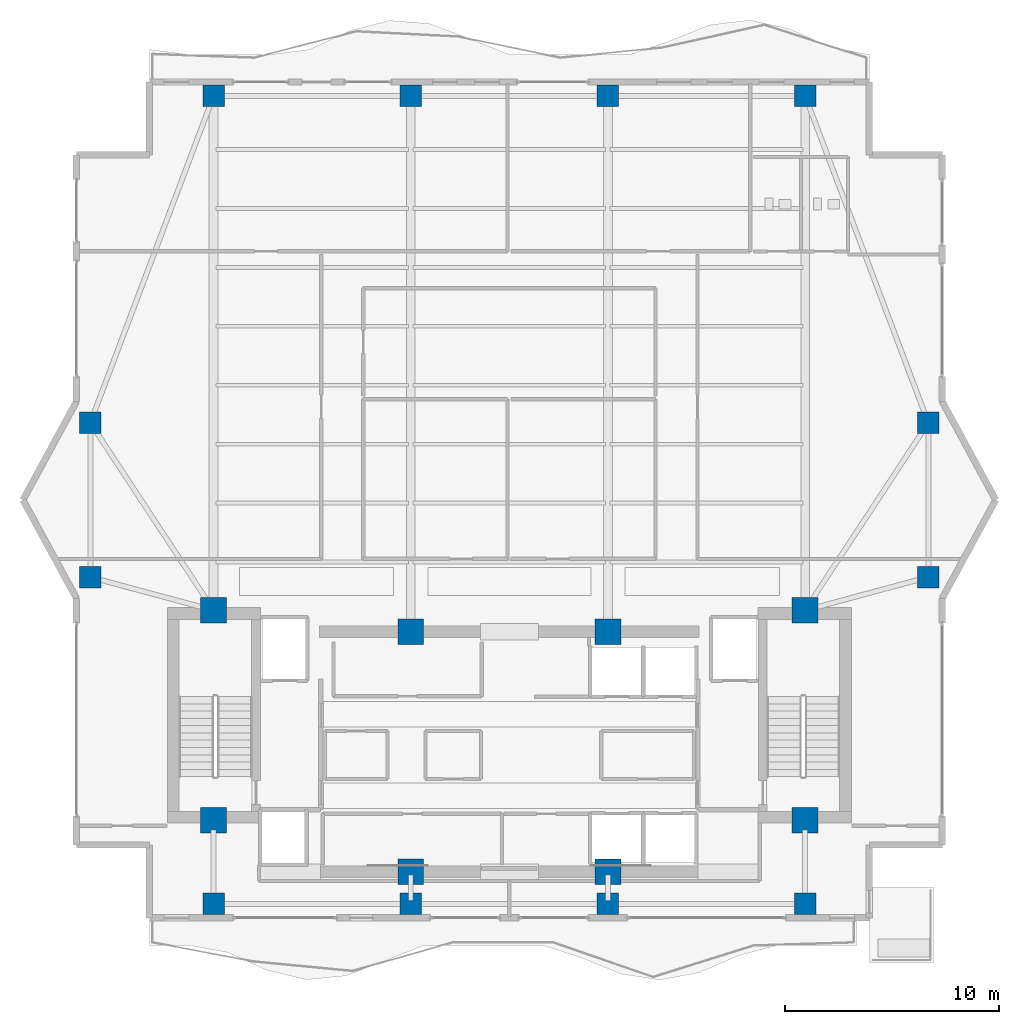
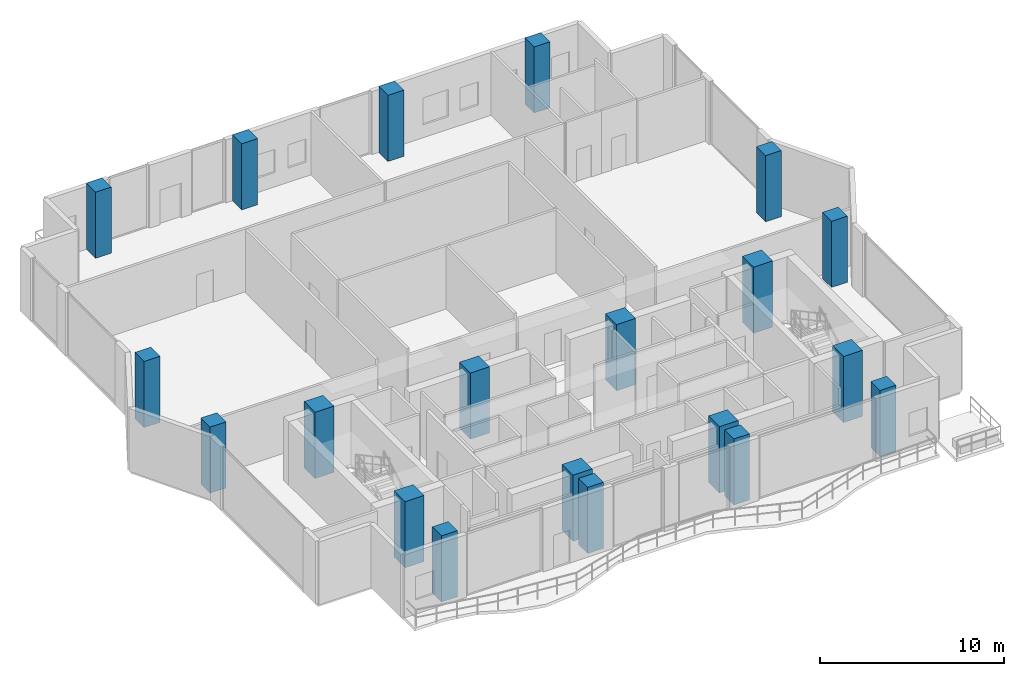
# One storey, part 1 of 23: 20 columns.
"""IFC4 building model written with IfcOpenShell, lengths in metres."""

from ifc_helpers import new_model, si_unit, direction, frame, origin, origin_2d, place, context, subcontext, project, spatial, rectangle, extrude, material, material_profile, profile_set, type_object, element, save


model = new_model("IFC4")

# Units and contexts
model_context = context("Model", 3, precision=1e-05, world=origin(), true_north=direction((0.0, 1.0)))
body_context = subcontext(model_context, "Body", "Model", "MODEL_VIEW")
ifc_project = project(units=[si_unit("LENGTHUNIT", "METRE"), si_unit("AREAUNIT", "SQUARE_METRE"), si_unit("VOLUMEUNIT", "CUBIC_METRE"), si_unit("PLANEANGLEUNIT", "RADIAN"), si_unit("MASSUNIT", "GRAM", prefix="KILO")], contexts=[model_context])

# Site, building, storey
site_placement = place(None, origin())
site = spatial("IfcSite", under=ifc_project, at=site_placement, CompositionType="ELEMENT")
building_placement = place(site_placement, origin())
building = spatial("IfcBuilding", under=site, at=building_placement, Name="Zuhayl Quay Hotel", CompositionType="ELEMENT")
storey_placement = place(building_placement, frame((0.0, 0.0, 288.449951171875)))
storey = spatial("IfcBuildingStorey", under=building, at=storey_placement, Name="L73", CompositionType="ELEMENT", Elevation=288.449951171875)

# Columns
ifc_material = material(Name="Concrete C60/75", Category="concrete")
ifc_material_profile_1 = material_profile(ifc_material, rectangle(XDim=1.199951171875, YDim=1.199951171875, at=origin_2d()), Name="RC1200X1200")
ifc_profile_set_1 = profile_set([ifc_material_profile_1], Name="Concrete C60/75")
column_type_1 = type_object("IfcColumnType", Name="CL_CC2_1200", PredefinedType="COLUMN", material=ifc_profile_set_1)
for number, where, z_axis, x_axis, name in (
    (1, (-13.800048828125, 14.35009765625, 0.0), (0.0, 0.0, 1.0), (1.0, 0.0, 0.0), "L73 Core Column CC_NW"),
    (2, (-4.60009765625, 13.35009765625, 0.0), (0.0, 0.0, 1.0), (1.0, 0.0, 0.0), "L73 Core Column CC_CNW"),
    (3, (4.60009765625, 13.35009765625, 0.0), (0.0, 0.0, 1.0), (1.0, 0.0, 0.0), "L73 Core Column CC_CNE"),
    (4, (13.800048828125, 14.35009765625, 0.0), (0.0, 0.0, 1.0), (1.0, 0.0, 0.0), "L73 Core Column CC_NE"),
    (5, (-13.800048828125, 4.550048828125, 0.0), (0.0, 0.0, 1.0), (1.0, 0.0, 0.0), "L73 Core Column CC_SW"),
    (6, (-4.60009765625, 2.14990234375, 0.0), (0.0, 0.0, 1.0), (1.0, 0.0, 0.0), "L73 Core Column CC_CSW"),
    (7, (4.60009765625, 2.14990234375, 0.0), (0.0, 0.0, 1.0), (1.0, 0.0, 0.0), "L73 Core Column CC_CSE"),
    (8, (13.800048828125, 4.550048828125, 0.0), (0.0, 0.0, 1.0), (1.0, 0.0, 0.0), "L73 Core Column CC_SE"),
):
    element("IfcColumn", number, at=place(storey_placement, frame(where, z_axis=z_axis, x_axis=x_axis)), inside=storey, type_object=column_type_1, Name=name, PredefinedType="COLUMN", context=body_context, shape_type="SweptSolid", body=[
        extrude(rectangle(XDim=1.199951171875, YDim=1.199951171875, at=origin_2d()), origin(), (0.0, 0.0, 1.0), 4.400146484375),
    ])
ifc_material_profile_2 = material_profile(ifc_material, rectangle(XDim=1.0, YDim=1.0, at=origin_2d()), Name="RC1000X1000")
ifc_profile_set_2 = profile_set([ifc_material_profile_2], Name="Concrete C60/75")
column_type_2 = type_object("IfcColumnType", Name="CL_MC4_1000", PredefinedType="COLUMN", material=ifc_profile_set_2)
for number, where, z_axis, x_axis, name in (
    (9, (-13.800048828125, 0.64990234375, 0.0), (0.0, 0.0, 1.0), (1.0, 0.0, 0.0), "L73 Mega-Column MC_S1"),
    (10, (-4.60009765625, 0.64990234375, 0.0), (0.0, 0.0, 1.0), (1.0, 0.0, 0.0), "L73 Mega-Column MC_S2"),
    (11, (4.60009765625, 0.64990234375, 0.0), (0.0, 0.0, 1.0), (1.0, 0.0, 0.0), "L73 Mega-Column MC_S3"),
    (12, (13.800048828125, 0.64990234375, 0.0), (0.0, 0.0, 1.0), (1.0, 0.0, 0.0), "L73 Mega-Column MC_S4"),
    (13, (-13.800048828125, 38.35009765625, 0.0), (0.0, 0.0, 1.0), (1.0, 0.0, 0.0), "L73 Mega-Column MC_N1"),
    (14, (-4.60009765625, 38.35009765625, 0.0), (0.0, 0.0, 1.0), (1.0, 0.0, 0.0), "L73 Mega-Column MC_N2"),
    (15, (4.60009765625, 38.35009765625, 0.0), (0.0, 0.0, 1.0), (1.0, 0.0, 0.0), "L73 Mega-Column MC_N3"),
    (16, (13.800048828125, 38.35009765625, 0.0), (0.0, 0.0, 1.0), (1.0, 0.0, 0.0), "L73 Mega-Column MC_N4"),
    (17, (-19.550048828125, 15.89990234375, 0.0), (0.0, 0.0, 1.0), (1.0, 0.0, 0.0), "L73 Mega-Column MC_W1"),
    (18, (-19.550048828125, 23.10009765625, 0.0), (0.0, 0.0, 1.0), (1.0, 0.0, 0.0), "L73 Mega-Column MC_W2"),
    (19, (19.550048828125, 15.89990234375, 0.0), (0.0, 0.0, 1.0), (1.0, 0.0, 0.0), "L73 Mega-Column MC_E1"),
    (20, (19.550048828125, 23.10009765625, 0.0), (0.0, 0.0, 1.0), (1.0, 0.0, 0.0), "L73 Mega-Column MC_E2"),
):
    element("IfcColumn", number, at=place(storey_placement, frame(where, z_axis=z_axis, x_axis=x_axis)), inside=storey, type_object=column_type_2, Name=name, PredefinedType="COLUMN", context=body_context, shape_type="SweptSolid", body=[
        extrude(rectangle(XDim=1.0, YDim=1.0, at=origin_2d()), origin(), (0.0, 0.0, 1.0), 4.400146484375),
    ])

save(model, "model.ifc")
